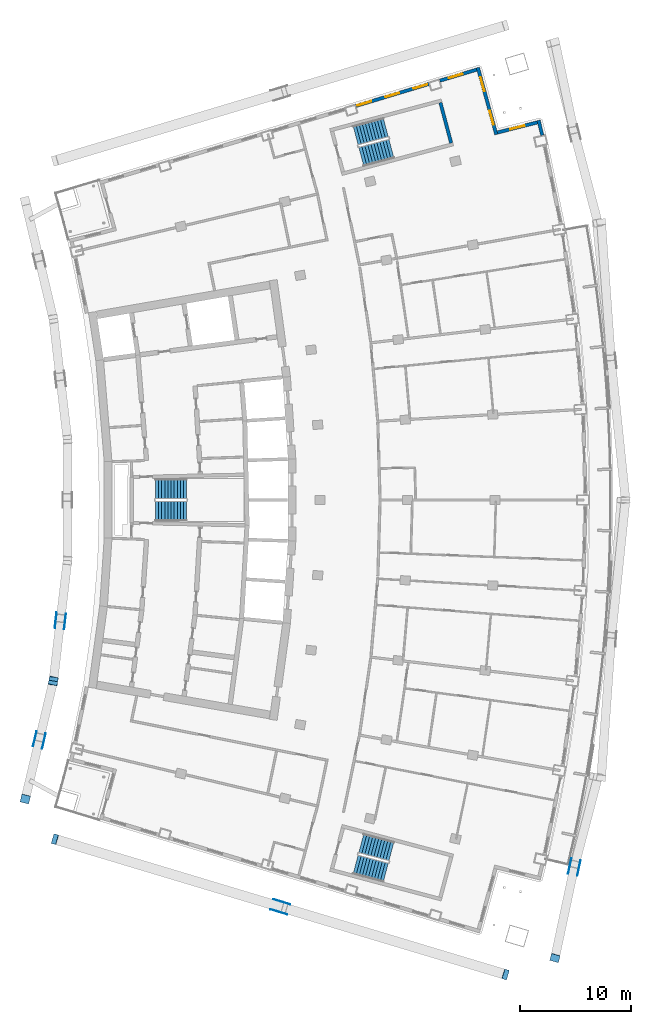
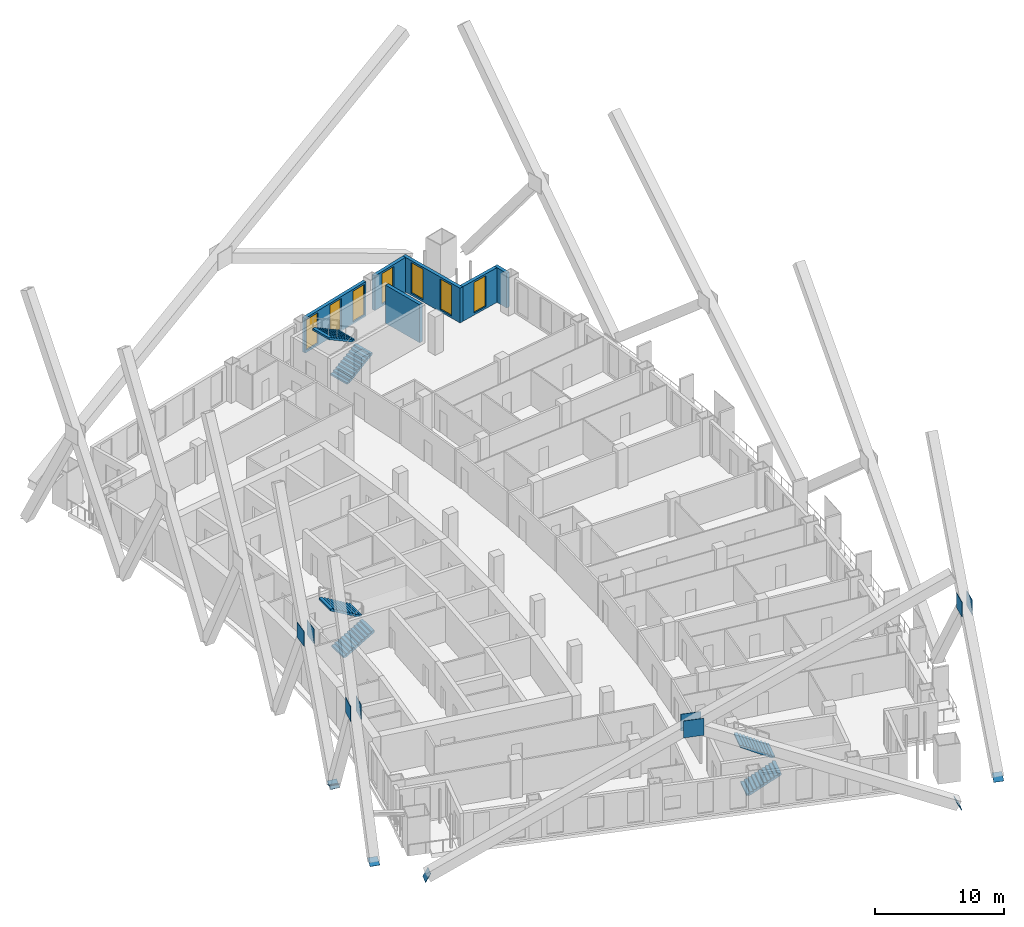
# One storey, part 18 of 22: 14 discrete accessories, 7 windows, 6 stair flights, 6 walls, 7 openings, 3 elements without a shape of their own.
"""IFC4 building model written with IfcOpenShell, lengths in metres."""

from ifc_helpers import new_model, si_unit, direction, frame, frame_2d, origin, origin_2d, place, context, subcontext, project, spatial, polyline, rectangle, outline, extrude, material, layer, layer_set, material_profile, profile_set, type_object, element, fill, aggregate, save


model = new_model("IFC4")

# Units and contexts
model_context = context("Model", 3, precision=1e-05, world=origin(), true_north=direction((0.0, 1.0)))
body_context = subcontext(model_context, "Body", "Model", "MODEL_VIEW")
ifc_project = project(units=[si_unit("LENGTHUNIT", "METRE"), si_unit("AREAUNIT", "SQUARE_METRE"), si_unit("VOLUMEUNIT", "CUBIC_METRE"), si_unit("PLANEANGLEUNIT", "RADIAN"), si_unit("MASSUNIT", "GRAM", prefix="KILO")], contexts=[model_context])

# Site, building, storey
site_placement = place(None, origin())
site = spatial("IfcSite", under=ifc_project, at=site_placement, CompositionType="ELEMENT")
building_placement = place(site_placement, origin())
building = spatial("IfcBuilding", under=site, at=building_placement, Name="Alderwake Tower", CompositionType="ELEMENT")
storey_placement = place(building_placement, frame((0.0, 0.0, 160.39990234375)))
storey = spatial("IfcBuildingStorey", under=building, at=storey_placement, Name="L39", CompositionType="ELEMENT", Elevation=160.39990234375)

# Walls
ifc_material_1 = material(Name="Concrete C70/85", Category="concrete")
ifc_layer_1 = layer(ifc_material_1, 0.300048828125)
ifc_layer_set_1 = layer_set([ifc_layer_1], Name="Core wall stair enclosure 300 C70-85")
wall_type_1 = type_object("IfcWallType", Name="Core wall stair enclosure 300 C70-85", PredefinedType="SHEAR", material=ifc_layer_set_1)
wall_1_placement = place(storey_placement, frame((47.581298828125, 93.041748046875, 0.0), z_axis=(0.0, 0.0, 1.0), x_axis=(-0.257366821694, 0.966313778796, 0.0)))
element("IfcWall", 1, at=wall_1_placement, inside=storey, type_object=wall_type_1, Name="Core wall CW.081", PredefinedType="SHEAR", context=body_context, shape_type="SweptSolid", body=[
    extrude(rectangle(XDim=3.749755859375, YDim=0.300048828125, at=frame_2d((1.875, 0.0))), origin(), (0.0, 0.0, 1.0), 3.60009765625),
])
ifc_material_2 = material(Name="Precast concrete C50/60 spandrel panel", Category="concrete")
ifc_layer_2 = layer(ifc_material_2, 0.300048828125)
ifc_layer_set_2 = layer_set([ifc_layer_2], Name="External wall EW1 Precast concrete C50/60 spandrel")
wall_type_2 = type_object("IfcWallType", Name="External wall EW1 Precast concrete C50/60 spandrel", PredefinedType="SOLIDWALL", material=ifc_layer_set_2)
wall_2_placement = place(storey_placement, frame((55.757080078125, 93.73291015625, 0.0), z_axis=(0.0, 0.0, 1.0), x_axis=(-0.238372588169, 0.971173779099, 0.0)))
element("IfcWall", 2, at=wall_2_placement, inside=storey, type_object=wall_type_2, Name="External wall 20", PredefinedType="SOLIDWALL", context=body_context, shape_type="SweptSolid", body=[
    extrude(rectangle(XDim=1.380615234375, YDim=0.300048828125, at=frame_2d((0.6904296875, 0.0))), origin(), (0.0, 0.0, 1.0), 3.280029296875),
])

# Wall, opening, window
ifc_material_3 = material(Name="Bronze metal cladding on lightweight framing")
ifc_layer_3 = layer(ifc_material_3, 0.300048828125)
ifc_layer_set_3 = layer_set([ifc_layer_3], Name="External wall EW2 bronze metal cladding")
wall_type_3 = type_object("IfcWallType", Name="External wall EW2 bronze metal cladding", PredefinedType="SOLIDWALL", material=ifc_layer_set_3)
wall_3_placement = place(storey_placement, frame((55.318359375, 94.891357421875, 0.0), z_axis=(0.0, 0.0, 1.0), x_axis=(-0.96941119971, -0.245442306614, 0.0)))
wall_3 = element("IfcWall", 3, at=wall_3_placement, inside=storey, type_object=wall_type_3, Name="External wall 21", PredefinedType="SOLIDWALL", context=body_context, shape_type="SweptSolid", body=[
    extrude(rectangle(XDim=3.6943359375, YDim=0.300048828125, at=frame_2d((1.84716796875, 0.0))), origin(), (0.0, 0.0, 1.0), 3.280029296875),
])
opening_1_placement = place(wall_3_placement, frame((1.197021484375, 0.0, 0.199951171875)))
opening_1 = element("IfcOpeningElement", 4, at=opening_1_placement, cuts=wall_3, Name="Opening W1", PredefinedType="OPENING", context=body_context, shape_type="SweptSolid", body=[
    extrude(rectangle(XDim=1.300048828125, YDim=2.89990234375, at=frame_2d((0.64990234375, 1.449951171875))), frame((0.0, 0.159912109375, 0.0), z_axis=(0.0, -1.0, 0.0), x_axis=(1.0, 0.0, 0.0)), (0.0, 0.0, 1.0), 0.320068359375),
])
ifc_material_4 = material(Name="Bronze tinted glass in aluminium frame", Category="aluminium")
window_type = type_object("IfcWindowType", Name="Window W1 tall fixed and vent", PartitioningType="DOUBLE_PANEL_VERTICAL", PredefinedType="WINDOW", material=ifc_material_4)
window_1_placement = place(opening_1_placement, origin())
window_1 = element("IfcWindow", 5, at=window_1_placement, inside=storey, type_object=window_type, Name="Window W1 tall fixed and vent", OverallHeight=2.89990234375, OverallWidth=1.300048828125, PartitioningType="DOUBLE_PANEL_VERTICAL", PredefinedType="WINDOW", context=body_context, shape_type="SweptSolid", body=[
    extrude(rectangle(XDim=1.300048828125, YDim=2.89990234375, at=frame_2d((0.64990234375, 1.449951171875))), frame((0.0, 0.030029296875, 0.0), z_axis=(0.0, -1.0, 0.0), x_axis=(1.0, 0.0, 0.0)), (0.0, 0.0, 1.0), 0.06005859375),
])
fill(opening_1, window_1)

# Wall, openings, windows
wall_4_placement = place(storey_placement, frame((51.63134765625, 93.80322265625, 0.0), z_axis=(0.0, 0.0, 1.0), x_axis=(-0.265118255006, 0.964215904693, 0.0)))
wall_4 = element("IfcWall", 6, at=wall_4_placement, inside=storey, type_object=wall_type_3, Name="External wall 22", PredefinedType="SOLIDWALL", context=body_context, shape_type="SweptSolid", body=[
    extrude(rectangle(XDim=6.234375, YDim=0.300048828125, at=frame_2d((3.1171875, 0.0))), origin(), (0.0, 0.0, 1.0), 3.280029296875),
])
opening_2_placement = place(wall_4_placement, frame((0.90869140625, 0.0, 0.199951171875)))
opening_2 = element("IfcOpeningElement", 7, at=opening_2_placement, cuts=wall_4, Name="Opening W1", PredefinedType="OPENING", context=body_context, shape_type="SweptSolid", body=[
    extrude(rectangle(XDim=1.300048828125, YDim=2.89990234375, at=frame_2d((0.64990234375, 1.449951171875))), frame((0.0, 0.159912109375, 0.0), z_axis=(0.0, -1.0, 0.0), x_axis=(1.0, 0.0, 0.0)), (0.0, 0.0, 1.0), 0.320068359375),
])
opening_3_placement = place(wall_4_placement, frame((4.025634765625, 0.0, 0.199951171875)))
opening_3 = element("IfcOpeningElement", 8, at=opening_3_placement, cuts=wall_4, Name="Opening W1", PredefinedType="OPENING", context=body_context, shape_type="SweptSolid", body=[
    extrude(rectangle(XDim=1.300048828125, YDim=2.89990234375, at=frame_2d((0.64990234375, 1.449951171875))), frame((0.0, 0.159912109375, 0.0), z_axis=(0.0, -1.0, 0.0), x_axis=(1.0, 0.0, 0.0)), (0.0, 0.0, 1.0), 0.320068359375),
])
window_2_placement = place(opening_2_placement, origin())
window_2 = element("IfcWindow", 9, at=window_2_placement, inside=storey, type_object=window_type, Name="Window W1 tall fixed and vent", OverallHeight=2.89990234375, OverallWidth=1.300048828125, PartitioningType="DOUBLE_PANEL_VERTICAL", PredefinedType="WINDOW", context=body_context, shape_type="SweptSolid", body=[
    extrude(rectangle(XDim=1.300048828125, YDim=2.89990234375, at=frame_2d((0.64990234375, 1.449951171875))), frame((0.0, 0.030029296875, 0.0), z_axis=(0.0, -1.0, 0.0), x_axis=(1.0, 0.0, 0.0)), (0.0, 0.0, 1.0), 0.06005859375),
])
fill(opening_2, window_2)
window_3_placement = place(opening_3_placement, origin())
window_3 = element("IfcWindow", 10, at=window_3_placement, inside=storey, type_object=window_type, Name="Window W1 tall fixed and vent", OverallHeight=2.89990234375, OverallWidth=1.300048828125, PartitioningType="DOUBLE_PANEL_VERTICAL", PredefinedType="WINDOW", context=body_context, shape_type="SweptSolid", body=[
    extrude(rectangle(XDim=1.300048828125, YDim=2.89990234375, at=frame_2d((0.64990234375, 1.449951171875))), frame((0.0, 0.030029296875, 0.0), z_axis=(0.0, -1.0, 0.0), x_axis=(1.0, 0.0, 0.0)), (0.0, 0.0, 1.0), 0.06005859375),
])
fill(opening_3, window_3)

# Wall, opening, window
wall_5_placement = place(storey_placement, frame((49.874755859375, 99.626708984375, 0.0), z_axis=(0.0, 0.0, 1.0), x_axis=(-0.957758344501, -0.287574257433, 0.0)))
wall_5 = element("IfcWall", 11, at=wall_5_placement, inside=storey, type_object=wall_type_3, Name="External wall 23", PredefinedType="SOLIDWALL", context=body_context, shape_type="SweptSolid", body=[
    extrude(rectangle(XDim=3.462890625, YDim=0.300048828125, at=frame_2d((1.7314453125, 0.0))), origin(), (0.0, 0.0, 1.0), 3.280029296875),
])
opening_4_placement = place(wall_5_placement, frame((1.33251953125, 0.0, 0.199951171875)))
opening_4 = element("IfcOpeningElement", 12, at=opening_4_placement, cuts=wall_5, Name="Opening W1", PredefinedType="OPENING", context=body_context, shape_type="SweptSolid", body=[
    extrude(rectangle(XDim=1.300048828125, YDim=2.89990234375, at=frame_2d((0.64990234375, 1.449951171875))), frame((0.0, 0.159912109375, 0.0), z_axis=(0.0, -1.0, 0.0), x_axis=(1.0, 0.0, 0.0)), (0.0, 0.0, 1.0), 0.320068359375),
])
window_4_placement = place(opening_4_placement, origin())
window_4 = element("IfcWindow", 13, at=window_4_placement, inside=storey, type_object=window_type, Name="Window W1 tall fixed and vent", OverallHeight=2.89990234375, OverallWidth=1.300048828125, PartitioningType="DOUBLE_PANEL_VERTICAL", PredefinedType="WINDOW", context=body_context, shape_type="SweptSolid", body=[
    extrude(rectangle(XDim=1.300048828125, YDim=2.89990234375, at=frame_2d((0.64990234375, 1.449951171875))), frame((0.0, 0.030029296875, 0.0), z_axis=(0.0, -1.0, 0.0), x_axis=(1.0, 0.0, 0.0)), (0.0, 0.0, 1.0), 0.06005859375),
])
fill(opening_4, window_4)

# Wall, openings, windows
wall_6_placement = place(storey_placement, frame((45.5966796875, 98.34228515625, 0.0), z_axis=(0.0, 0.0, 1.0), x_axis=(-0.957766538893, -0.287546964821, 0.0)))
wall_6 = element("IfcWall", 14, at=wall_6_placement, inside=storey, type_object=wall_type_3, Name="External wall 24", PredefinedType="SOLIDWALL", context=body_context, shape_type="SweptSolid", body=[
    extrude(rectangle(XDim=6.86279296875, YDim=0.300048828125, at=frame_2d((3.431396484375, 0.0))), origin(), (0.0, 0.0, 1.0), 3.280029296875),
])
opening_5_placement = place(wall_6_placement, frame((0.1591796875, 0.0, 0.199951171875)))
opening_5 = element("IfcOpeningElement", 15, at=opening_5_placement, cuts=wall_6, Name="Opening W1", PredefinedType="OPENING", context=body_context, shape_type="SweptSolid", body=[
    extrude(rectangle(XDim=1.300048828125, YDim=2.89990234375, at=frame_2d((0.64990234375, 1.449951171875))), frame((0.0, 0.159912109375, 0.0), z_axis=(0.0, -1.0, 0.0), x_axis=(1.0, 0.0, 0.0)), (0.0, 0.0, 1.0), 0.320068359375),
])
opening_6_placement = place(wall_6_placement, frame((2.781494140625, 0.0, 0.199951171875)))
opening_6 = element("IfcOpeningElement", 16, at=opening_6_placement, cuts=wall_6, Name="Opening W1", PredefinedType="OPENING", context=body_context, shape_type="SweptSolid", body=[
    extrude(rectangle(XDim=1.300048828125, YDim=2.89990234375, at=frame_2d((0.64990234375, 1.449951171875))), frame((0.0, 0.159912109375, 0.0), z_axis=(0.0, -1.0, 0.0), x_axis=(1.0, 0.0, 0.0)), (0.0, 0.0, 1.0), 0.320068359375),
])
opening_7_placement = place(wall_6_placement, frame((5.40380859375, 0.0, 0.199951171875)))
opening_7 = element("IfcOpeningElement", 17, at=opening_7_placement, cuts=wall_6, Name="Opening W1", PredefinedType="OPENING", context=body_context, shape_type="SweptSolid", body=[
    extrude(rectangle(XDim=1.300048828125, YDim=2.89990234375, at=frame_2d((0.64990234375, 1.449951171875))), frame((0.0, 0.159912109375, 0.0), z_axis=(0.0, -1.0, 0.0), x_axis=(1.0, 0.0, 0.0)), (0.0, 0.0, 1.0), 0.320068359375),
])
window_5_placement = place(opening_5_placement, origin())
window_5 = element("IfcWindow", 18, at=window_5_placement, inside=storey, type_object=window_type, Name="Window W1 tall fixed and vent", OverallHeight=2.89990234375, OverallWidth=1.300048828125, PartitioningType="DOUBLE_PANEL_VERTICAL", PredefinedType="WINDOW", context=body_context, shape_type="SweptSolid", body=[
    extrude(rectangle(XDim=1.300048828125, YDim=2.89990234375, at=frame_2d((0.64990234375, 1.449951171875))), frame((0.0, 0.030029296875, 0.0), z_axis=(0.0, -1.0, 0.0), x_axis=(1.0, 0.0, 0.0)), (0.0, 0.0, 1.0), 0.06005859375),
])
fill(opening_5, window_5)
window_6_placement = place(opening_6_placement, origin())
window_6 = element("IfcWindow", 19, at=window_6_placement, inside=storey, type_object=window_type, Name="Window W1 tall fixed and vent", OverallHeight=2.89990234375, OverallWidth=1.300048828125, PartitioningType="DOUBLE_PANEL_VERTICAL", PredefinedType="WINDOW", context=body_context, shape_type="SweptSolid", body=[
    extrude(rectangle(XDim=1.300048828125, YDim=2.89990234375, at=frame_2d((0.64990234375, 1.449951171875))), frame((0.0, 0.030029296875, 0.0), z_axis=(0.0, -1.0, 0.0), x_axis=(1.0, 0.0, 0.0)), (0.0, 0.0, 1.0), 0.06005859375),
])
fill(opening_6, window_6)
window_7_placement = place(opening_7_placement, origin())
window_7 = element("IfcWindow", 20, at=window_7_placement, inside=storey, type_object=window_type, Name="Window W1 tall fixed and vent", OverallHeight=2.89990234375, OverallWidth=1.300048828125, PartitioningType="DOUBLE_PANEL_VERTICAL", PredefinedType="WINDOW", context=body_context, shape_type="SweptSolid", body=[
    extrude(rectangle(XDim=1.300048828125, YDim=2.89990234375, at=frame_2d((0.64990234375, 1.449951171875))), frame((0.0, 0.030029296875, 0.0), z_axis=(0.0, -1.0, 0.0), x_axis=(1.0, 0.0, 0.0)), (0.0, 0.0, 1.0), 0.06005859375),
])
fill(opening_7, window_7)

# Stair, stair flights
ifc_material_5 = material(Name="Concrete C40/50", Category="concrete")
stair_type = type_object("IfcStairType", Name="Core exit stair", PredefinedType="HALF_TURN_STAIR", material=ifc_material_5)
stair_1_placement = place(storey_placement, origin())
stair_1 = element("IfcStair", 21, at=stair_1_placement, inside=storey, type_object=stair_type, Name="L39 Exit Stair B", PredefinedType="HALF_TURN_STAIR")
ifc_material_6 = material(Name="Concrete C40/50", Category="concrete")
ifc_layer_4 = layer(ifc_material_6, 0.14990234375)
ifc_layer_set_4 = layer_set([ifc_layer_4], Name="Core stair flight")
stair_flight_type = type_object("IfcStairFlightType", Name="Core stair flight", PredefinedType="STRAIGHT", material=ifc_layer_set_4)
stair_flight_1_placement = place(storey_placement, frame((21.0400390625, 60.02490234375, 0.0), z_axis=(0.0, 0.0, 1.0), x_axis=(1.0, 0.0, 0.0)))
stair_flight_1 = element("IfcStairFlight", 22, at=stair_flight_1_placement, type_object=stair_flight_type, Name="ST-B flight 1", NumberOfRisers=11, NumberOfTreads=10, PredefinedType="STRAIGHT", RiserHeight=0.163636364, TreadLength=0.28, context=body_context, shape_type="SweptSolid", body=[
    extrude(outline(polyline([(0.0, 0.0), (0.0, 0.16357421875), (0.280029296875, 0.16357421875), (0.280029296875, 0.327392578125), (0.56005859375, 0.327392578125), (0.56005859375, 0.490966796875), (0.840087890625, 0.490966796875), (0.840087890625, 0.654541015625), (1.1201171875, 0.654541015625), (1.1201171875, 0.818115234375), (1.39990234375, 0.818115234375), (1.39990234375, 0.98193359375), (1.679931640625, 0.98193359375), (1.679931640625, 1.1455078125), (1.9599609375, 1.1455078125), (1.9599609375, 1.30908203125), (2.239990234375, 1.30908203125), (2.239990234375, 1.47265625), (2.52001953125, 1.47265625), (2.52001953125, 1.636474609375), (2.800048828125, 1.636474609375), (2.800048828125, 1.800048828125), (2.800048828125, 1.462646484375), (0.297119140625, 0.0), (0.0, 0.0)])), frame((0.0, 0.89990234375, 0.0), z_axis=(0.0, -1.0, 0.0), x_axis=(1.0, 0.0, 0.0)), (0.0, 0.0, 1.0), 1.800048828125),
])
stair_flight_2_placement = place(storey_placement, frame((23.840087890625, 61.97509765625, 1.800048828125), z_axis=(0.0, 0.0, 1.0), x_axis=(-1.0, 0.0, 0.0)))
stair_flight_2 = element("IfcStairFlight", 23, at=stair_flight_2_placement, type_object=stair_flight_type, Name="ST-B flight 2", NumberOfRisers=11, NumberOfTreads=10, PredefinedType="STRAIGHT", RiserHeight=0.163636364, TreadLength=0.28, context=body_context, shape_type="SweptSolid", body=[
    extrude(outline(polyline([(0.0, 0.0), (0.0, 0.16357421875), (0.280029296875, 0.16357421875), (0.280029296875, 0.327392578125), (0.56005859375, 0.327392578125), (0.56005859375, 0.490966796875), (0.840087890625, 0.490966796875), (0.840087890625, 0.654541015625), (1.1201171875, 0.654541015625), (1.1201171875, 0.818115234375), (1.39990234375, 0.818115234375), (1.39990234375, 0.98193359375), (1.679931640625, 0.98193359375), (1.679931640625, 1.1455078125), (1.9599609375, 1.1455078125), (1.9599609375, 1.30908203125), (2.239990234375, 1.30908203125), (2.239990234375, 1.47265625), (2.52001953125, 1.47265625), (2.52001953125, 1.636474609375), (2.800048828125, 1.636474609375), (2.800048828125, 1.800048828125), (2.800048828125, 1.462646484375), (0.297119140625, 0.0), (0.0, 0.0)])), frame((0.0, 0.89990234375, 0.0), z_axis=(0.0, -1.0, 0.0), x_axis=(1.0, 0.0, 0.0)), (0.0, 0.0, 1.0), 1.800048828125),
])
aggregate(stair_1, [stair_flight_1, stair_flight_2])

stair_2_placement = place(storey_placement, origin())
stair_2 = element("IfcStair", 24, at=stair_2_placement, inside=storey, type_object=stair_type, Name="L39 Exit Stair A", PredefinedType="HALF_TURN_STAIR")
stair_flight_3_placement = place(storey_placement, frame((39.512939453125, 91.823974609375, 0.0), z_axis=(0.0, 0.0, 1.0), x_axis=(0.966309627437, 0.257382407951, 0.0)))
stair_flight_3 = element("IfcStairFlight", 25, at=stair_flight_3_placement, type_object=stair_flight_type, Name="ST-A flight 1", NumberOfRisers=11, NumberOfTreads=10, PredefinedType="STRAIGHT", RiserHeight=0.163636364, TreadLength=0.28, context=body_context, shape_type="SweptSolid", body=[
    extrude(outline(polyline([(0.0, 0.0), (0.0, 0.16357421875), (0.280029296875, 0.16357421875), (0.280029296875, 0.327392578125), (0.56005859375, 0.327392578125), (0.56005859375, 0.490966796875), (0.840087890625, 0.490966796875), (0.840087890625, 0.654541015625), (1.1201171875, 0.654541015625), (1.1201171875, 0.818115234375), (1.39990234375, 0.818115234375), (1.39990234375, 0.98193359375), (1.679931640625, 0.98193359375), (1.679931640625, 1.1455078125), (1.9599609375, 1.1455078125), (1.9599609375, 1.30908203125), (2.239990234375, 1.30908203125), (2.239990234375, 1.47265625), (2.52001953125, 1.47265625), (2.52001953125, 1.636474609375), (2.800048828125, 1.636474609375), (2.800048828125, 1.800048828125), (2.800048828125, 1.462646484375), (0.297119140625, 0.0), (0.0, 0.0)])), frame((0.0, 0.89990234375, 0.0), z_axis=(0.0, -1.0, 0.0), x_axis=(1.0, 0.0, 0.0)), (0.0, 0.0, 1.0), 1.800048828125),
])
stair_flight_4_placement = place(storey_placement, frame((41.716796875, 94.428955078125, 1.800048828125), z_axis=(0.0, 0.0, 1.0), x_axis=(-0.966309627437, -0.257382407951, 0.0)))
stair_flight_4 = element("IfcStairFlight", 26, at=stair_flight_4_placement, type_object=stair_flight_type, Name="ST-A flight 2", NumberOfRisers=11, NumberOfTreads=10, PredefinedType="STRAIGHT", RiserHeight=0.163636364, TreadLength=0.28, context=body_context, shape_type="SweptSolid", body=[
    extrude(outline(polyline([(0.0, 0.0), (0.0, 0.16357421875), (0.280029296875, 0.16357421875), (0.280029296875, 0.327392578125), (0.56005859375, 0.327392578125), (0.56005859375, 0.490966796875), (0.840087890625, 0.490966796875), (0.840087890625, 0.654541015625), (1.1201171875, 0.654541015625), (1.1201171875, 0.818115234375), (1.39990234375, 0.818115234375), (1.39990234375, 0.98193359375), (1.679931640625, 0.98193359375), (1.679931640625, 1.1455078125), (1.9599609375, 1.1455078125), (1.9599609375, 1.30908203125), (2.239990234375, 1.30908203125), (2.239990234375, 1.47265625), (2.52001953125, 1.47265625), (2.52001953125, 1.636474609375), (2.800048828125, 1.636474609375), (2.800048828125, 1.800048828125), (2.800048828125, 1.462646484375), (0.297119140625, 0.0), (0.0, 0.0)])), frame((0.0, 0.89990234375, 0.0), z_axis=(0.0, -1.0, 0.0), x_axis=(1.0, 0.0, 0.0)), (0.0, 0.0, 1.0), 1.800048828125),
])
aggregate(stair_2, [stair_flight_3, stair_flight_4])

stair_3_placement = place(storey_placement, origin())
stair_3 = element("IfcStair", 27, at=stair_3_placement, inside=storey, type_object=stair_type, Name="L39 Exit Stair C", PredefinedType="HALF_TURN_STAIR")
stair_flight_5_placement = place(storey_placement, frame((39.010986328125, 28.291748046875, 0.0), z_axis=(0.0, 0.0, 1.0), x_axis=(0.966309627437, -0.257382407951, 0.0)))
stair_flight_5 = element("IfcStairFlight", 28, at=stair_flight_5_placement, type_object=stair_flight_type, Name="ST-C flight 1", NumberOfRisers=11, NumberOfTreads=10, PredefinedType="STRAIGHT", RiserHeight=0.163636364, TreadLength=0.28, context=body_context, shape_type="SweptSolid", body=[
    extrude(outline(polyline([(0.0, 0.0), (0.0, 0.16357421875), (0.280029296875, 0.16357421875), (0.280029296875, 0.327392578125), (0.56005859375, 0.327392578125), (0.56005859375, 0.490966796875), (0.840087890625, 0.490966796875), (0.840087890625, 0.654541015625), (1.1201171875, 0.654541015625), (1.1201171875, 0.818115234375), (1.39990234375, 0.818115234375), (1.39990234375, 0.98193359375), (1.679931640625, 0.98193359375), (1.679931640625, 1.1455078125), (1.9599609375, 1.1455078125), (1.9599609375, 1.30908203125), (2.239990234375, 1.30908203125), (2.239990234375, 1.47265625), (2.52001953125, 1.47265625), (2.52001953125, 1.636474609375), (2.800048828125, 1.636474609375), (2.800048828125, 1.800048828125), (2.800048828125, 1.462646484375), (0.297119140625, 0.0), (0.0, 0.0)])), frame((0.0, 0.89990234375, 0.0), z_axis=(0.0, -1.0, 0.0), x_axis=(1.0, 0.0, 0.0)), (0.0, 0.0, 1.0), 1.800048828125),
])
stair_flight_6_placement = place(storey_placement, frame((42.218505859375, 29.455322265625, 1.800048828125), z_axis=(0.0, 0.0, 1.0), x_axis=(-0.966309627437, 0.257382407951, 0.0)))
stair_flight_6 = element("IfcStairFlight", 29, at=stair_flight_6_placement, type_object=stair_flight_type, Name="ST-C flight 2", NumberOfRisers=11, NumberOfTreads=10, PredefinedType="STRAIGHT", RiserHeight=0.163636364, TreadLength=0.28, context=body_context, shape_type="SweptSolid", body=[
    extrude(outline(polyline([(0.0, 0.0), (0.0, 0.16357421875), (0.280029296875, 0.16357421875), (0.280029296875, 0.327392578125), (0.56005859375, 0.327392578125), (0.56005859375, 0.490966796875), (0.840087890625, 0.490966796875), (0.840087890625, 0.654541015625), (1.1201171875, 0.654541015625), (1.1201171875, 0.818115234375), (1.39990234375, 0.818115234375), (1.39990234375, 0.98193359375), (1.679931640625, 0.98193359375), (1.679931640625, 1.1455078125), (1.9599609375, 1.1455078125), (1.9599609375, 1.30908203125), (2.239990234375, 1.30908203125), (2.239990234375, 1.47265625), (2.52001953125, 1.47265625), (2.52001953125, 1.636474609375), (2.800048828125, 1.636474609375), (2.800048828125, 1.800048828125), (2.800048828125, 1.462646484375), (0.297119140625, 0.0), (0.0, 0.0)])), frame((0.0, 0.89990234375, 0.0), z_axis=(0.0, -1.0, 0.0), x_axis=(1.0, 0.0, 0.0)), (0.0, 0.0, 1.0), 1.800048828125),
])
aggregate(stair_3, [stair_flight_5, stair_flight_6])

# Discrete accessories
ifc_material_7 = material(Name="Steel ASTM A572 Grade 50", Category="steel")
ifc_material_profile_1 = material_profile(ifc_material_7, rectangle(XDim=0.800048828125, YDim=0.800048828125, at=origin_2d()), Name="BOX 800X800X50 cap")
ifc_profile_set_1 = profile_set([ifc_material_profile_1], Name="Steel ASTM A572 Grade 50")
discrete_accessory_type_1 = type_object("IfcDiscreteAccessoryType", Name="End cap plate BOX 800X800X50", PredefinedType="USERDEFINED", material=ifc_profile_set_1)
for number, where, z_axis, x_axis, name in (
    (30, (56.9013671875, 19.898193359375, 0.0), (-0.17127028554, -0.587212407567, 0.791105604639), (0.96, -0.28, 0.0), "End cap BRF3.1.2B2 N"),
    (31, (11.875, 44.755615234375, 0.0), (0.105495990526, 0.438214114494, 0.892658381376), (-0.972223637158, 0.234053838575, 0.0), "End cap BRR3.1.2A N"),
    (32, (9.359619140625, 34.171630859375, 0.0), (-0.105869651339, -0.43162242469, 0.895820126716), (0.971210844098, -0.238221527798, 0.0), "End cap BRR3.1.2B2 N"),
    (33, (11.875, 44.755615234375, 0.0), (-0.056826119483, -0.446490938798, 0.892981877596), (0.991997911724, -0.126254279674, 0.0), "End cap BRR3.1.4B2 N"),
):
    element("IfcDiscreteAccessory", number, at=place(storey_placement, frame(where, z_axis=z_axis, x_axis=x_axis)), inside=storey, type_object=discrete_accessory_type_1, Name=name, ObjectType="END CAP", PredefinedType="USERDEFINED", context=body_context, shape_type="SweptSolid", body=[
        extrude(rectangle(XDim=0.800048828125, YDim=0.800048828125, at=origin_2d()), origin(), (0.0, 0.0, 1.0), 0.030029296875),
    ])
ifc_material_8 = material(Name="Steel ASTM A572 Grade 50", Category="steel")
ifc_material_profile_2 = material_profile(ifc_material_8, rectangle(XDim=0.89990234375, YDim=0.89990234375, at=origin_2d()), Name="BOX 900X900X55 cap")
ifc_profile_set_2 = profile_set([ifc_material_profile_2], Name="Steel ASTM A572 Grade 50")
discrete_accessory_type_2 = type_object("IfcDiscreteAccessoryType", Name="End cap plate BOX 900X900X55", PredefinedType="USERDEFINED", material=ifc_profile_set_2)
discrete_accessory_1_placement = place(storey_placement, frame((52.448974609375, 18.416015625, 0.0), z_axis=(0.848930175073, -0.258721577165, 0.460847809325), x_axis=(0.291524108639, 0.95656348147, 0.0)))
element("IfcDiscreteAccessory", 34, at=discrete_accessory_1_placement, inside=storey, type_object=discrete_accessory_type_2, Name="End cap BRS3.1.0A N", ObjectType="END CAP", PredefinedType="USERDEFINED", context=body_context, shape_type="SweptSolid", body=[
    extrude(rectangle(XDim=0.89990234375, YDim=0.89990234375, at=origin_2d()), origin(), (0.0, 0.0, 1.0), 0.0302734375),
])
discrete_accessory_2_placement = place(storey_placement, frame((12.031005859375, 30.550537109375, 0.0), z_axis=(-0.853856093733, 0.252090846721, 0.455389916658), x_axis=(-0.283155210121, -0.959074098796, 0.0)))
element("IfcDiscreteAccessory", 35, at=discrete_accessory_2_placement, inside=storey, type_object=discrete_accessory_type_2, Name="End cap BRS3.1.0B2 N", ObjectType="END CAP", PredefinedType="USERDEFINED", context=body_context, shape_type="SweptSolid", body=[
    extrude(rectangle(XDim=0.89990234375, YDim=0.89990234375, at=origin_2d()), origin(), (0.0, 0.0, 1.0), 0.030029296875),
])
ifc_material_9 = material(Name="Steel ASTM A572 Grade 50", Category="steel")
ifc_material_profile_3 = material_profile(ifc_material_9, rectangle(XDim=1.39990234375, YDim=1.39990234375, at=origin_2d()), Name="gusset 1400X1400")
ifc_profile_set_3 = profile_set([ifc_material_profile_3], Name="Steel ASTM A572 Grade 50")
discrete_accessory_type_3 = type_object("IfcDiscreteAccessoryType", Name="Gusset plate 1400X1400X40", PredefinedType="USERDEFINED", material=ifc_profile_set_3)
discrete_accessory_3_placement = place(storey_placement, frame((59.027587890625, 27.980224609375, 10.800048828125), z_axis=(0.978158850918, -0.20785875582, 0.0), x_axis=(0.20785875582, 0.978158850918, 0.0)))
element("IfcDiscreteAccessory", 36, at=discrete_accessory_3_placement, inside=storey, type_object=discrete_accessory_type_3, Name="Gusset plate BRF3.2.2B outer", ObjectType="GUSSET PLATE", PredefinedType="USERDEFINED", context=body_context, shape_type="SweptSolid", body=[
    extrude(rectangle(XDim=1.39990234375, YDim=1.39990234375, at=origin_2d()), origin(), (0.0, 0.0, 1.0), 0.0400390625),
])
discrete_accessory_4_placement = place(storey_placement, frame((58.2451171875, 28.146484375, 10.800048828125), z_axis=(-0.978420635243, 0.206622991294, 0.0), x_axis=(-0.206622991294, -0.978420635243, 0.0)))
element("IfcDiscreteAccessory", 37, at=discrete_accessory_4_placement, inside=storey, type_object=discrete_accessory_type_3, Name="Gusset plate BRF3.2.2B inner", ObjectType="GUSSET PLATE", PredefinedType="USERDEFINED", context=body_context, shape_type="SweptSolid", body=[
    extrude(rectangle(XDim=1.39990234375, YDim=1.39990234375, at=origin_2d()), origin(), (0.0, 0.0, 1.0), 0.040283203125),
])
for number, where, z_axis, x_axis, name in (
    (38, (11.006591796875, 39.37109375, 10.800048828125), (0.973976588012, -0.226648639978, 0.0), (0.226648639978, 0.973976588012, 0.0), "Gusset plate BRR3.2.2B outer"),
    (39, (10.22802734375, 39.55615234375, 10.800048828125), (-0.972608962829, 0.232447425079, 0.0), (-0.232447425079, -0.972608962829, 0.0), "Gusset plate BRR3.2.2B inner"),
    (40, (12.905517578125, 50.111572265625, 10.800048828125), (0.993192389202, -0.116485527129, 0.0), (0.116485527129, 0.993192389202, 0.0), "Gusset plate BRR3.2.4B outer"),
    (41, (12.11083984375, 50.20458984375, 10.800048828125), (-0.992465233221, 0.122526572003, 0.0), (-0.122526572003, -0.992465233221, 0.0), "Gusset plate BRR3.2.4B inner"),
):
    element("IfcDiscreteAccessory", number, at=place(storey_placement, frame(where, z_axis=z_axis, x_axis=x_axis)), inside=storey, type_object=discrete_accessory_type_3, Name=name, ObjectType="GUSSET PLATE", PredefinedType="USERDEFINED", context=body_context, shape_type="SweptSolid", body=[
        extrude(rectangle(XDim=1.39990234375, YDim=1.39990234375, at=origin_2d()), origin(), (0.0, 0.0, 1.0), 0.039794921875),
    ])
ifc_material_10 = material(Name="Steel ASTM A572 Grade 50", Category="steel")
ifc_material_profile_4 = material_profile(ifc_material_10, rectangle(XDim=1.60009765625, YDim=1.60009765625, at=origin_2d()), Name="gusset 1600X1600")
ifc_profile_set_4 = profile_set([ifc_material_profile_4], Name="Steel ASTM A572 Grade 50")
discrete_accessory_type_4 = type_object("IfcDiscreteAccessoryType", Name="Gusset plate 1600X1600X40", PredefinedType="USERDEFINED", material=ifc_profile_set_4)
discrete_accessory_5_placement = place(storey_placement, frame((32.110595703125, 24.05224609375, 10.800048828125), z_axis=(-0.286788031626, -0.95799406309, 0.0), x_axis=(0.95799406309, -0.286788031626, 0.0)))
element("IfcDiscreteAccessory", 42, at=discrete_accessory_5_placement, inside=storey, type_object=discrete_accessory_type_4, Name="Gusset plate BRS3.2.0B outer", ObjectType="GUSSET PLATE", PredefinedType="USERDEFINED", context=body_context, shape_type="SweptSolid", body=[
    extrude(rectangle(XDim=1.60009765625, YDim=1.60009765625, at=origin_2d()), origin(), (0.0, 0.0, 1.0), 0.0400390625),
])
discrete_accessory_6_placement = place(storey_placement, frame((32.369384765625, 24.914306640625, 10.800048828125), z_axis=(0.288473878152, 0.957487765783, 0.0), x_axis=(-0.957487765783, 0.288473878152, 0.0)))
element("IfcDiscreteAccessory", 43, at=discrete_accessory_6_placement, inside=storey, type_object=discrete_accessory_type_4, Name="Gusset plate BRS3.2.0B inner", ObjectType="GUSSET PLATE", PredefinedType="USERDEFINED", context=body_context, shape_type="SweptSolid", body=[
    extrude(rectangle(XDim=1.60009765625, YDim=1.60009765625, at=origin_2d()), origin(), (0.0, 0.0, 1.0), 0.039794921875),
])

save(model, "model.ifc")
